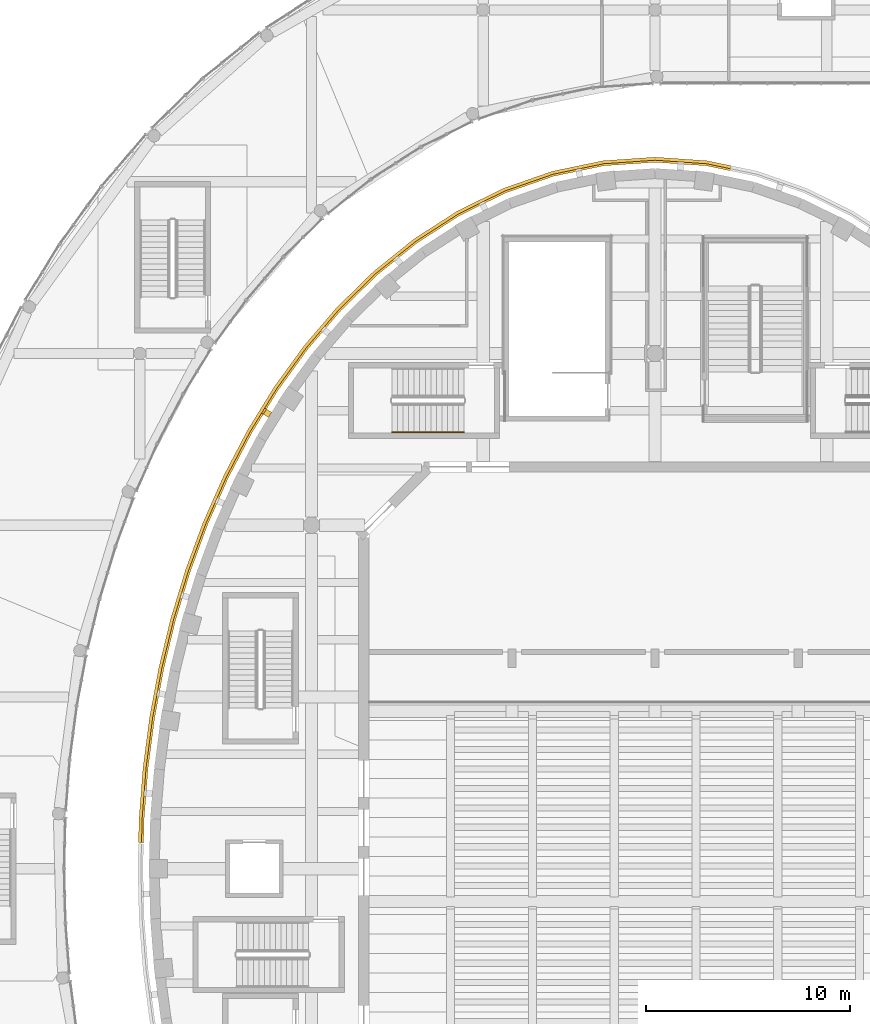
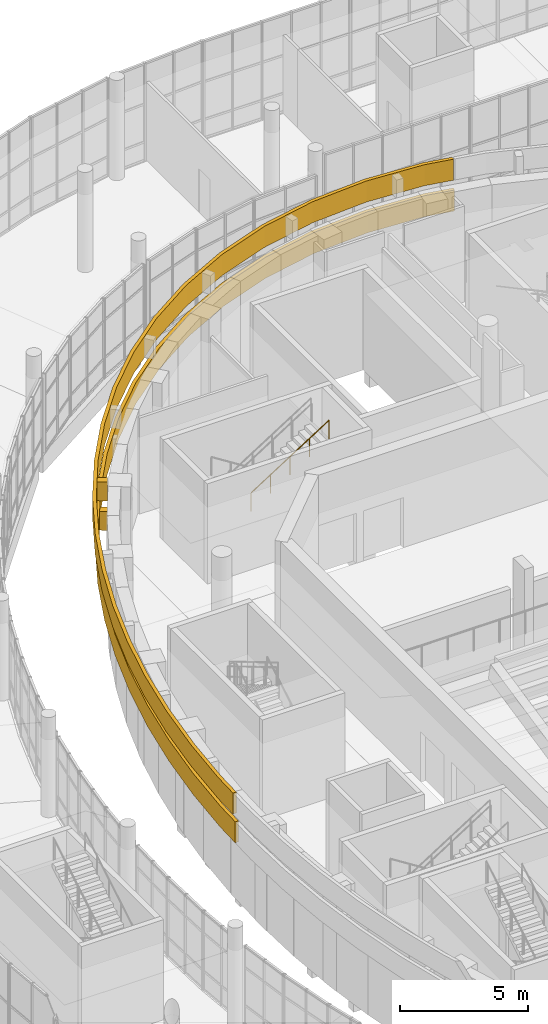
# One storey, part 108 of 119: 4 coverings, 1 railing.
"""IFC4 building model written with IfcOpenShell, lengths in metres."""

import ifcopenshell
import ifcopenshell.guid

model = None  # the IFC model being written
_history = None  # IfcOwnerHistory: only IFC2X3 demands one
_inside = {}  # id of a spatial element -> (the spatial element, [elements in it])
_under = {}  # id of a project, library or spatial element -> (it, [spatial elements below it])
_declared = {}  # id of a project -> (the project, [libraries it declares])
_typed = {}  # id of a type object -> (the type object, [elements of that type])
_made_of = {}  # id of a material, layer set ... -> (it, [elements and type objects made of it])


def new_model(schema):
    """Start an empty IFC model of exactly this schema.

    Asked for "IFC4X3", IfcOpenShell would pick the latest addendum, in which some entities
    have other attributes; the version numbers below select the first issue.
    IFC2X3 requires an IfcOwnerHistory on every rooted entity: one is made here for all.
    """
    global model, _history
    if schema == "IFC4X3":
        model = ifcopenshell.file(schema_version=(4, 3, 0, 0))
    else:
        model = ifcopenshell.file(schema=schema)
    _inside.clear()
    _under.clear()
    _declared.clear()
    _typed.clear()
    _made_of.clear()
    _history = None
    if model.schema == "IFC2X3":
        org = make("IfcOrganization", Name="unknown")
        user = make(
            "IfcPersonAndOrganization",
            ThePerson=make("IfcPerson", FamilyName="unknown"),
            TheOrganization=org,
        )
        app = make(
            "IfcApplication",
            ApplicationDeveloper=org,
            Version="unknown",
            ApplicationFullName="unknown",
            ApplicationIdentifier="unknown",
        )
        _history = make(
            "IfcOwnerHistory",
            OwningUser=user,
            OwningApplication=app,
            ChangeAction="ADDED",
            CreationDate=0,
        )
    return model


def make(cls, **values):
    """One entity of the class cls with the attributes given. An attribute that is None is left unset."""
    return model.create_entity(
        cls, **{name: value for name, value in values.items() if value is not None}
    )


def rooted(cls, **values):
    """An entity with a GlobalId (a new one), such as an element, a storey or a relation."""
    return make(cls, GlobalId=ifcopenshell.guid.new(), OwnerHistory=_history, **values)


def si_unit(unit_type, name, prefix=None):
    """IfcSIUnit, for example si_unit("LENGTHUNIT", "METRE", prefix="MILLI")."""
    return make("IfcSIUnit", UnitType=unit_type, Prefix=prefix, Name=name)


def assignment(units):
    """IfcUnitAssignment: the units of a project."""
    return None if units is None else make("IfcUnitAssignment", Units=units)


def point(xyz):
    """IfcCartesianPoint."""
    return None if xyz is None else make("IfcCartesianPoint", Coordinates=xyz)


def direction(xyz):
    """IfcDirection."""
    return None if xyz is None else make("IfcDirection", DirectionRatios=xyz)


def frame(location, z_axis=None, x_axis=None):
    """IfcAxis2Placement3D, a coordinate frame: its origin and axes. An axis left out is left unset."""
    return make(
        "IfcAxis2Placement3D",
        Location=point(location),
        Axis=direction(z_axis),
        RefDirection=direction(x_axis),
    )


def frame_2d(location, x_axis=None):
    """IfcAxis2Placement2D, a coordinate frame in the plane: its origin and x axis."""
    return make(
        "IfcAxis2Placement2D", Location=point(location), RefDirection=direction(x_axis)
    )


def origin():
    """The frame at (0, 0, 0) with its axes left unset."""
    return frame((0.0, 0.0, 0.0))


def origin_2d():
    """The frame at (0, 0) in the plane with its x axis left unset."""
    return frame_2d((0.0, 0.0))


def place(relative_to, where):
    """IfcLocalPlacement: puts the frame where relative to a parent placement (None: the world)."""
    return make(
        "IfcLocalPlacement", PlacementRelTo=relative_to, RelativePlacement=where
    )


def context(
    kind, dimensions, precision=None, world=None, true_north=None, identifier=None
):
    """IfcGeometricRepresentationContext, for example the 3D "Model" context."""
    return make(
        "IfcGeometricRepresentationContext",
        ContextIdentifier=identifier,
        ContextType=kind,
        CoordinateSpaceDimension=dimensions,
        Precision=precision,
        WorldCoordinateSystem=world,
        TrueNorth=true_north,
    )


def subcontext(parent, identifier, kind, view, scale=None):
    """IfcGeometricRepresentationSubContext, for example "Body" below "Model"."""
    return make(
        "IfcGeometricRepresentationSubContext",
        ContextIdentifier=identifier,
        ContextType=kind,
        ParentContext=parent,
        TargetScale=scale,
        TargetView=view,
    )


def project(units=None, contexts=None):
    """IfcProject with its units and contexts."""
    return rooted(
        "IfcProject",
        Name="project",
        RepresentationContexts=contexts,
        UnitsInContext=assignment(units),
    )


def spatial(cls, under=None, at=None, **own):
    """A site, building, storey or space (cls), placed at a placement, below another one or the project."""
    s = rooted(cls, ObjectPlacement=at, **own)
    if under is not None:
        _under.setdefault(under.id(), (under, []))[1].append(s)
    return s


def polyline(points):
    """IfcPolyline through the points."""
    return make("IfcPolyline", Points=[point(p) for p in points])


def profile(cls, at=None, kind="AREA", **sizes):
    """A parametric profile (cls). Its sizes go by their IFC names, for example OverallWidth=200.0."""
    return make(cls, ProfileType=kind, Position=at, **sizes)


def rectangle(**sizes):
    """IfcRectangleProfileDef."""
    return profile("IfcRectangleProfileDef", **sizes)


def circle(**sizes):
    """IfcCircleProfileDef."""
    return profile("IfcCircleProfileDef", **sizes)


def outline(outer, holes=None, kind="AREA"):
    """IfcArbitraryClosedProfileDef: a profile drawn as a closed curve; with holes, ...WithVoids."""
    if holes is None:
        return make("IfcArbitraryClosedProfileDef", ProfileType=kind, OuterCurve=outer)
    return make(
        "IfcArbitraryProfileDefWithVoids",
        ProfileType=kind,
        OuterCurve=outer,
        InnerCurves=holes,
    )


def extrude(swept, where, along, depth):
    """IfcExtrudedAreaSolid: the profile swept, set in the frame where, extruded along a direction by depth."""
    return make(
        "IfcExtrudedAreaSolid",
        SweptArea=swept,
        Position=where,
        ExtrudedDirection=direction(along),
        Depth=depth,
    )


def shape(context_of_items, identifier, shape_type, items):
    """IfcShapeRepresentation: the items that make up one representation, for example the "Body"."""
    return make(
        "IfcShapeRepresentation",
        ContextOfItems=context_of_items,
        RepresentationIdentifier=identifier,
        RepresentationType=shape_type,
        Items=items,
    )


def material(Name=None, Category=None):
    """IfcMaterial."""
    return make("IfcMaterial", Name=Name, Category=Category)


def layer(
    of_material, thickness, ventilated=None, Name=None, Category=None, Priority=None
):
    """IfcMaterialLayer: one layer of a wall or slab, of a material (None: an air gap)."""
    return make(
        "IfcMaterialLayer",
        Material=of_material,
        LayerThickness=thickness,
        IsVentilated=ventilated,
        Name=Name,
        Category=Category,
        Priority=Priority,
    )


def layer_set(layers, Name=None):
    """IfcMaterialLayerSet."""
    return make("IfcMaterialLayerSet", MaterialLayers=layers, LayerSetName=Name)


def made_of(thing, what):
    """Note that an element or type object is made of a material, layer set ...; save() writes the relation."""
    if what is not None:
        _made_of.setdefault(what.id(), (what, []))[1].append(thing)
    return thing


def type_object(cls, material=None, **own):
    """A type object (cls), such as IfcWallType, which elements share."""
    return made_of(rooted(cls, **own), material)


def element(
    cls,
    number,
    at=None,
    inside=None,
    cuts=None,
    type_object=None,
    material=None,
    context=None,
    identifier="Body",
    shape_type=None,
    held_by="IfcProductDefinitionShape",
    body=None,
    shapes=None,
    **own,
):
    """One element of the class cls, such as IfcWall. Its Tag is "e" and its number.

    at: its placement. inside: the storey or other place that contains it. cuts: it is an
    opening in that element (IfcRelVoidsElement). A single representation is given by context,
    identifier, shape_type and body (its items); several are given by shapes. held_by: the class
    of the entity that holds the representations. save() writes the other relations.
    """
    e = rooted(cls, Tag="e%d" % number, ObjectPlacement=at, **own)
    if body is not None:
        shapes = [shape(context, identifier, shape_type, body)]
    if shapes is not None:
        e.Representation = make(held_by, Representations=shapes)
    if inside is not None:
        _inside.setdefault(inside.id(), (inside, []))[1].append(e)
    if cuts is not None:
        rooted(
            "IfcRelVoidsElement", RelatingBuildingElement=cuts, RelatedOpeningElement=e
        )
    if type_object is not None:
        _typed.setdefault(type_object.id(), (type_object, []))[1].append(e)
    return made_of(e, material)


def aggregate(whole, parts):
    """IfcRelAggregates: a whole, such as a stair, and the parts it consists of."""
    return rooted("IfcRelAggregates", RelatingObject=whole, RelatedObjects=parts)


def save(model, path):
    """Write the relations noted so far, then the file.

    IfcRelAggregates (storeys below a building ...), IfcRelContainedInSpatialStructure (elements
    in a storey), IfcRelDefinesByType, IfcRelAssociatesMaterial and IfcRelDeclares: one each for
    every whole, place, type object, material and project.
    """
    for whole, parts in _under.values():
        aggregate(whole, parts)
    for where, things in _inside.values():
        rooted(
            "IfcRelContainedInSpatialStructure",
            RelatedElements=things,
            RelatingStructure=where,
        )
    for kind, things in _typed.values():
        rooted("IfcRelDefinesByType", RelatedObjects=things, RelatingType=kind)
    for what, things in _made_of.values():
        rooted("IfcRelAssociatesMaterial", RelatedObjects=things, RelatingMaterial=what)
    for by, libraries in _declared.values():
        rooted("IfcRelDeclares", RelatingContext=by, RelatedDefinitions=libraries)
    model.write(path)


model = new_model("IFC4")

# Units and contexts
model_context = context("Model", 3, precision=1e-05, world=origin(), true_north=direction((0.0, 1.0)))
body_context = subcontext(model_context, "Body", "Model", "MODEL_VIEW")
ifc_project = project(units=[si_unit("LENGTHUNIT", "METRE"), si_unit("AREAUNIT", "SQUARE_METRE"), si_unit("VOLUMEUNIT", "CUBIC_METRE"), si_unit("PLANEANGLEUNIT", "RADIAN"), si_unit("MASSUNIT", "GRAM", prefix="KILO")], contexts=[model_context])

# Site, building, storey
site_placement = place(None, origin())
site = spatial("IfcSite", under=ifc_project, at=site_placement, CompositionType="ELEMENT")
building_placement = place(site_placement, origin())
building = spatial("IfcBuilding", under=site, at=building_placement, Name="Larchfold Concert Hall", CompositionType="ELEMENT")
storey_placement = place(building_placement, frame((0.0, 0.0, 4.800048828125)))
storey = spatial("IfcBuildingStorey", under=building, at=storey_placement, Name="L01", CompositionType="ELEMENT", Elevation=4.800048828125)

# Coverings
ifc_material_1 = material(Name="Powder-coated orange aluminium", Category="aluminium")
ifc_layer_1 = layer(ifc_material_1, 0.14990234375)
ifc_layer_set_1 = layer_set([ifc_layer_1], Name="Powder-coated orange aluminium")
covering_type_1 = type_object("IfcCoveringType", Name="Orange aluminium ring cladding", PredefinedType="CLADDING", material=ifc_layer_set_1)
covering_1_placement = place(storey_placement, frame((0.0, 0.0, 3.300048828125)))
element("IfcCovering", 1, at=covering_1_placement, inside=storey, type_object=covering_type_1, Name="Ring band R01b", PredefinedType="CLADDING", context=body_context, shape_type="SweptSolid", body=[
    extrude(outline(polyline([(42.60009765625, 119.1513671875), (45.101806640625, 118.97900390625), (46.27587890625, 118.735595703125), (46.2919921875, 118.88525390625), (45.122314453125, 119.1279296875), (42.60009765625, 119.3017578125), (40.077880859375, 119.1279296875), (37.60498046875, 118.614990234375), (35.2236328125, 117.78564453125), (32.96728515625, 116.672607421875), (30.85791015625, 115.31298828125), (28.9072265625, 113.7431640625), (27.121337890625, 111.996826171875), (25.49951171875, 110.103271484375), (24.039794921875, 108.088134765625), (22.737548828125, 105.97216796875), (21.58837890625, 103.773193359375), (20.5869140625, 101.506103515625), (19.728759765625, 99.18359375), (19.009765625, 96.81591796875), (18.42626953125, 94.41259765625), (17.9755859375, 91.982421875), (17.655029296875, 89.5322265625), (17.463623046875, 87.0693359375), (17.4326171875, 85.870361328125), (17.58251953125, 85.863037109375), (17.61328125, 87.0615234375), (17.80419921875, 89.5166015625), (18.123779296875, 91.958984375), (18.572998046875, 94.381103515625), (19.154541015625, 96.7763671875), (19.87109375, 99.1357421875), (20.72607421875, 101.449951171875), (21.7236328125, 103.7080078125), (22.8681640625, 105.89794921875), (24.16455078125, 108.004638671875), (25.617431640625, 110.01025390625), (27.23095703125, 111.894287109375), (29.0068359375, 113.630859375), (30.94580078125, 115.191162109375), (33.041259765625, 116.5419921875), (35.28173828125, 117.647216796875), (37.64501953125, 118.47021484375), (40.098388671875, 118.97900390625), (42.60009765625, 119.1513671875)])), origin(), (0.0, 0.0, 1.0), 1.0),
])
covering_2_placement = place(storey_placement, frame((0.0, 0.0, 4.699951171875)))
element("IfcCovering", 2, at=covering_2_placement, inside=storey, type_object=covering_type_1, Name="Ring band R02b", PredefinedType="CLADDING", context=body_context, shape_type="SweptSolid", body=[
    extrude(outline(polyline([(42.60009765625, 119.25146484375), (45.115478515625, 119.078369140625), (46.28662109375, 118.83544921875), (46.302978515625, 118.9853515625), (45.135986328125, 119.227294921875), (42.60009765625, 119.40185546875), (40.064208984375, 119.227294921875), (37.578125, 118.711669921875), (35.18505859375, 117.878173828125), (32.91796875, 116.759765625), (30.79931640625, 115.39404296875), (28.8408203125, 113.818115234375), (27.04833984375, 112.065185546875), (25.4208984375, 110.165283203125), (23.95654296875, 108.143798828125), (22.650634765625, 106.021484375), (21.498291015625, 103.816650390625), (20.494140625, 101.543701171875), (19.634033203125, 99.21533203125), (18.913330078125, 96.84228515625), (18.328369140625, 94.43359375), (17.876708984375, 91.998046875), (17.5556640625, 89.542724609375), (17.363525390625, 87.074462890625), (17.332763671875, 85.875244140625), (17.482666015625, 85.867919921875), (17.513427734375, 87.06689453125), (17.704833984375, 89.527099609375), (18.02490234375, 91.974609375), (18.47509765625, 94.402099609375), (19.05810546875, 96.802734375), (19.776123046875, 99.16748046875), (20.63330078125, 101.487548828125), (21.633544921875, 103.75146484375), (22.78125, 105.947509765625), (24.081298828125, 108.060302734375), (25.538818359375, 110.072265625), (27.157958984375, 111.962646484375), (28.9404296875, 113.705810546875), (30.88720703125, 115.272216796875), (32.991943359375, 116.629150390625), (35.2431640625, 117.739501953125), (37.6181640625, 118.566650390625), (40.084716796875, 119.078369140625), (42.60009765625, 119.25146484375)])), origin(), (0.0, 0.0, 1.0), 1.0),
])
ifc_material_2 = material(Name="Galvanised steel bracket", Category="steel")
ifc_layer_2 = layer(ifc_material_2, 0.300048828125)
ifc_layer_set_2 = layer_set([ifc_layer_2], Name="Galvanised steel bracket")
covering_type_2 = type_object("IfcCoveringType", Name="Ring support bracket", PredefinedType="CLADDING", material=ifc_layer_set_2)
covering_3_placement = place(storey_placement, frame((23.643798828125, 106.872314453125, 3.35009765625), z_axis=(0.0, 0.0, 1.0), x_axis=(-0.851675410882, 0.524069646611, 0.0)))
element("IfcCovering", 3, at=covering_3_placement, inside=storey, type_object=covering_type_2, Name="Ring bracket BR-R01-15", PredefinedType="CLADDING", context=body_context, shape_type="SweptSolid", body=[
    extrude(rectangle(XDim=0.300048828125, YDim=0.300048828125, at=origin_2d()), origin(), (0.0, 0.0, 1.0), 0.89990234375),
])
covering_4_placement = place(storey_placement, frame((23.601318359375, 106.898681640625, 4.75), z_axis=(0.0, 0.0, 1.0), x_axis=(-0.851675410882, 0.524069646611, 0.0)))
element("IfcCovering", 4, at=covering_4_placement, inside=storey, type_object=covering_type_2, Name="Ring bracket BR-R02-15", PredefinedType="CLADDING", context=body_context, shape_type="SweptSolid", body=[
    extrude(rectangle(XDim=0.39990234375, YDim=0.300048828125, at=origin_2d()), origin(), (0.0, 0.0, 1.0), 0.89990234375),
])

# Railing
ifc_material_3 = material(Name="Stainless steel handrail", Category="steel")
railing_type = type_object("IfcRailingType", Name="Stair handrail 900", PredefinedType="HANDRAIL", material=ifc_material_3)
railing_placement = place(storey_placement, frame((29.739990234375, 105.9501953125, 2.5712890625)))
element("IfcRailing", 5, at=railing_placement, inside=storey, type_object=railing_type, Name="Handrail HR0010", PredefinedType="HANDRAIL", context=body_context, shape_type="SweptSolid", body=[
    extrude(circle(Radius=0.02392578125, at=origin_2d()), frame((0.0, 0.0, 0.8759765625), z_axis=(0.844192992368, 0.0, 0.536039356425), x_axis=(0.0, 1.0, 0.0)), (0.0, 0.0, 1.0), 4.15771484375),
    extrude(circle(Radius=0.02099609375, at=origin_2d()), origin(), (0.0, 0.0, 1.0), 0.851806640625),
    extrude(circle(Radius=0.02099609375, at=origin_2d()), frame((0.87744140625, 0.0, 0.55712890625)), (0.0, 0.0, 1.0), 0.851806640625),
    extrude(circle(Radius=0.02099609375, at=origin_2d()), frame((1.7548828125, 0.0, 1.1142578125)), (0.0, 0.0, 1.0), 0.851806640625),
    extrude(circle(Radius=0.02099609375, at=origin_2d()), frame((2.632568359375, 0.0, 1.671630859375)), (0.0, 0.0, 1.0), 0.851806640625),
    extrude(circle(Radius=0.02099609375, at=origin_2d()), frame((3.510009765625, 0.0, 2.228759765625)), (0.0, 0.0, 1.0), 0.851806640625),
])

save(model, "model.ifc")
